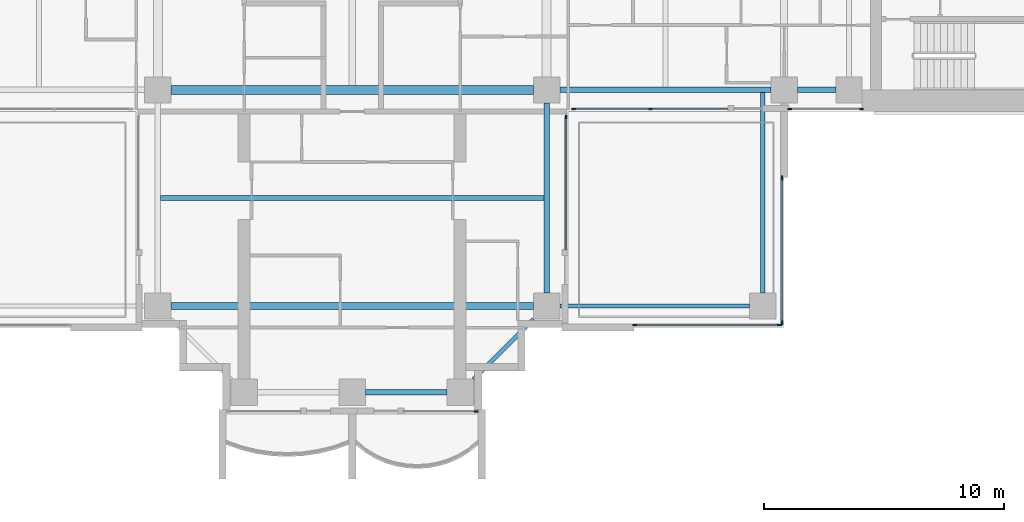
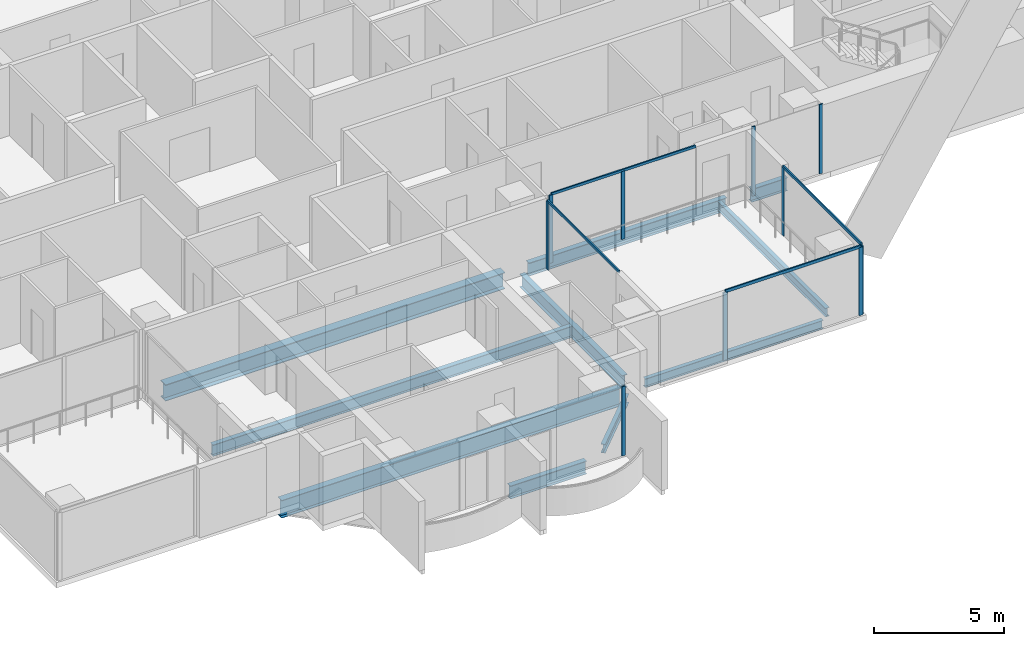
# One storey, part 3 of 19: 14 members, 10 beams, 6 elements without a shape of their own.
"""IFC4 building model written with IfcOpenShell, lengths in metres."""

from ifc_helpers import new_model, si_unit, direction, frame, origin, origin_2d, place, context, subcontext, project, spatial, rectangle, i_section, extrude, material, material_profile, profile_set, type_object, element, aggregate, save


model = new_model("IFC4")

# Units and contexts
model_context = context("Model", 3, precision=1e-05, world=origin(), true_north=direction((0.0, 1.0)))
body_context = subcontext(model_context, "Body", "Model", "MODEL_VIEW")
ifc_project = project(units=[si_unit("LENGTHUNIT", "METRE"), si_unit("AREAUNIT", "SQUARE_METRE"), si_unit("VOLUMEUNIT", "CUBIC_METRE"), si_unit("PLANEANGLEUNIT", "RADIAN"), si_unit("MASSUNIT", "GRAM", prefix="KILO")], contexts=[model_context])

# Site, building, storey
site_placement = place(None, origin())
site = spatial("IfcSite", under=ifc_project, at=site_placement, CompositionType="ELEMENT")
building_placement = place(site_placement, origin())
building = spatial("IfcBuilding", under=site, at=building_placement, Name="Perihelion Cross Residences", CompositionType="ELEMENT")
storey_placement = place(building_placement, frame((0.0, 0.0, 116.39990234375)))
storey = spatial("IfcBuildingStorey", under=building, at=storey_placement, Name="L27", CompositionType="ELEMENT", Elevation=116.39990234375)

# Curtain wall, member
ifc_material_1 = material(Name="Bronze anodised aluminium, tinted glazing", Category="aluminium")
curtain_wall_type_1 = type_object("IfcCurtainWallType", Name="CW1", PredefinedType="NOTDEFINED", material=ifc_material_1)
curtain_wall_1_placement = place(storey_placement, origin())
curtain_wall_1 = element("IfcCurtainWall", 1, at=curtain_wall_1_placement, inside=storey, type_object=curtain_wall_type_1, Name="Curtain wall CW1 L27 south tip south bay 2", PredefinedType="NOTDEFINED")
ifc_material_2 = material(Name="Bronze anodised aluminium", Category="aluminium")
ifc_material_profile_1 = material_profile(ifc_material_2, rectangle(XDim=0.06005859375, YDim=0.159912109375, at=origin_2d()), Name="CW1 mullion")
ifc_profile_set_1 = profile_set([ifc_material_profile_1], Name="Bronze anodised aluminium")
member_type_1 = type_object("IfcMemberType", Name="CW1 mullion", PredefinedType="MULLION", material=ifc_profile_set_1)
member_1_placement = place(storey_placement, frame((5.169921875, -21.5, 0.0), z_axis=(0.0, 0.0, 1.0), x_axis=(0.0, 1.0, 0.0)))
member_1 = element("IfcMember", 2, at=member_1_placement, type_object=member_type_1, Name="CW1 mullion 2", PredefinedType="MULLION", context=body_context, shape_type="SweptSolid", body=[
    extrude(rectangle(XDim=0.06005859375, YDim=0.159912109375, at=origin_2d()), origin(), (0.0, 0.0, 1.0), 3.25),
])
aggregate(curtain_wall_1, [member_1])

curtain_wall_2_placement = place(storey_placement, origin())
curtain_wall_2 = element("IfcCurtainWall", 3, at=curtain_wall_2_placement, inside=storey, type_object=curtain_wall_type_1, Name="Curtain wall CW1 L27 south side east bay 1", PredefinedType="NOTDEFINED")
member_2_placement = place(storey_placement, frame((8.89990234375, -9.22998046875, 0.0), z_axis=(0.0, 0.0, 1.0), x_axis=(-1.0, 0.0, 0.0)))
member_2 = element("IfcMember", 4, at=member_2_placement, type_object=member_type_1, Name="CW1 mullion 2", PredefinedType="MULLION", context=body_context, shape_type="SweptSolid", body=[
    extrude(rectangle(XDim=0.06005859375, YDim=0.159912109375, at=origin_2d()), origin(), (0.0, 0.0, 1.0), 3.190185546875),
])

# Curtain wall, members
curtain_wall_3_placement = place(storey_placement, origin())
curtain_wall_3 = element("IfcCurtainWall", 5, at=curtain_wall_3_placement, inside=storey, type_object=curtain_wall_type_1, Name="Curtain wall CW1 L27 east side south bay 1", PredefinedType="NOTDEFINED")
member_3_placement = place(storey_placement, frame((9.22998046875, -8.89990234375, 0.0), z_axis=(0.0, 0.0, 1.0), x_axis=(0.0, 1.0, 0.0)))
member_3 = element("IfcMember", 6, at=member_3_placement, type_object=member_type_1, Name="CW1 mullion 1", PredefinedType="MULLION", context=body_context, shape_type="SweptSolid", body=[
    extrude(rectangle(XDim=0.06005859375, YDim=0.159912109375, at=origin_2d()), origin(), (0.0, 0.0, 1.0), 3.190185546875),
])
member_4_placement = place(storey_placement, frame((12.425048828125, -8.89990234375, 0.0), z_axis=(0.0, 0.0, 1.0), x_axis=(0.0, 1.0, 0.0)))
member_4 = element("IfcMember", 7, at=member_4_placement, type_object=member_type_1, Name="CW1 mullion 2", PredefinedType="MULLION", context=body_context, shape_type="SweptSolid", body=[
    extrude(rectangle(XDim=0.06005859375, YDim=0.159912109375, at=origin_2d()), origin(), (0.0, 0.0, 1.0), 3.190185546875),
])

curtain_wall_4_placement = place(storey_placement, origin())
curtain_wall_4 = element("IfcCurtainWall", 8, at=curtain_wall_4_placement, inside=storey, type_object=curtain_wall_type_1, Name="Curtain wall CW1 L27 east side south bay 2", PredefinedType="NOTDEFINED")
member_5_placement = place(storey_placement, frame((18.22998046875, -8.89990234375, 0.0), z_axis=(0.0, 0.0, 1.0), x_axis=(0.0, 1.0, 0.0)))
member_5 = element("IfcMember", 9, at=member_5_placement, type_object=member_type_1, Name="CW1 mullion 1", PredefinedType="MULLION", context=body_context, shape_type="SweptSolid", body=[
    extrude(rectangle(XDim=0.06005859375, YDim=0.159912109375, at=origin_2d()), origin(), (0.0, 0.0, 1.0), 3.25),
])
member_6_placement = place(storey_placement, frame((21.219970703125, -8.89990234375, 0.0), z_axis=(0.0, 0.0, 1.0), x_axis=(0.0, 1.0, 0.0)))
member_6 = element("IfcMember", 10, at=member_6_placement, type_object=member_type_1, Name="CW1 mullion 2", PredefinedType="MULLION", context=body_context, shape_type="SweptSolid", body=[
    extrude(rectangle(XDim=0.06005859375, YDim=0.159912109375, at=origin_2d()), origin(), (0.0, 0.0, 1.0), 3.25),
])
aggregate(curtain_wall_4, [member_5, member_6])

# Member
ifc_material_3 = material(Name="Bronze anodised aluminium", Category="aluminium")
ifc_material_profile_2 = material_profile(ifc_material_3, rectangle(XDim=0.06005859375, YDim=0.1201171875, at=origin_2d()), Name="CW1 transom")
ifc_profile_set_2 = profile_set([ifc_material_profile_2], Name="Bronze anodised aluminium")
member_type_2 = type_object("IfcMemberType", Name="CW1 transom", PredefinedType="USERDEFINED", material=ifc_profile_set_2)
member_7_placement = place(storey_placement, frame((8.89990234375, -14.75, 3.22021484375), z_axis=(0.0, 1.0, 0.0), x_axis=(-1.0, 0.0, 0.0)))
member_7 = element("IfcMember", 11, at=member_7_placement, type_object=member_type_2, Name="CW1 head transom", ObjectType="TRANSOM", PredefinedType="USERDEFINED", context=body_context, shape_type="SweptSolid", body=[
    extrude(rectangle(XDim=0.06005859375, YDim=0.1201171875, at=origin_2d()), origin(), (0.0, 0.0, 1.0), 5.52001953125),
])

aggregate(curtain_wall_2, [member_2, member_7])

member_8_placement = place(storey_placement, frame((9.22998046875, -8.89990234375, 3.22021484375), z_axis=(1.0, 0.0, 0.0), x_axis=(0.0, 1.0, 0.0)))
member_8 = element("IfcMember", 12, at=member_8_placement, type_object=member_type_2, Name="CW1 head transom", ObjectType="TRANSOM", PredefinedType="USERDEFINED", context=body_context, shape_type="SweptSolid", body=[
    extrude(rectangle(XDim=0.06005859375, YDim=0.1201171875, at=origin_2d()), origin(), (0.0, 0.0, 1.0), 6.419921875),
])

aggregate(curtain_wall_3, [member_3, member_4, member_8])

# Curtain wall, members
ifc_material_4 = material(Name="Bronze anodised aluminium, tinted glazing", Category="aluminium")
curtain_wall_type_2 = type_object("IfcCurtainWallType", Name="CW4", PredefinedType="NOTDEFINED", material=ifc_material_4)
curtain_wall_5_placement = place(storey_placement, origin())
curtain_wall_5 = element("IfcCurtainWall", 13, at=curtain_wall_5_placement, inside=storey, type_object=curtain_wall_type_2, Name="Curtain wall CW4 L27 pocket south-east 1 1", PredefinedType="NOTDEFINED")
ifc_material_5 = material(Name="Bronze anodised aluminium", Category="aluminium")
ifc_material_profile_3 = material_profile(ifc_material_5, rectangle(XDim=0.06005859375, YDim=0.179931640625, at=origin_2d()), Name="CW4 mullion")
ifc_profile_set_3 = profile_set([ifc_material_profile_3], Name="Bronze anodised aluminium")
member_type_3 = type_object("IfcMemberType", Name="CW4 mullion", PredefinedType="MULLION", material=ifc_profile_set_3)
member_9_placement = place(storey_placement, frame((17.89990234375, -11.77001953125, 0.0), z_axis=(0.0, 0.0, 1.0), x_axis=(1.0, 0.0, 0.0)))
member_9 = element("IfcMember", 14, at=member_9_placement, type_object=member_type_3, Name="CW4 mullion 1", PredefinedType="MULLION", context=body_context, shape_type="SweptSolid", body=[
    extrude(rectangle(XDim=0.06005859375, YDim=0.179931640625, at=origin_2d()), origin(), (0.0, 0.0, 1.0), 3.190185546875),
])
member_10_placement = place(storey_placement, frame((17.89990234375, -17.800048828125, 0.0), z_axis=(0.0, 0.0, 1.0), x_axis=(1.0, 0.0, 0.0)))
member_10 = element("IfcMember", 15, at=member_10_placement, type_object=member_type_3, Name="CW4 mullion 2", PredefinedType="MULLION", context=body_context, shape_type="SweptSolid", body=[
    extrude(rectangle(XDim=0.06005859375, YDim=0.179931640625, at=origin_2d()), origin(), (0.0, 0.0, 1.0), 3.190185546875),
])

curtain_wall_6_placement = place(storey_placement, origin())
curtain_wall_6 = element("IfcCurtainWall", 16, at=curtain_wall_6_placement, inside=storey, type_object=curtain_wall_type_2, Name="Curtain wall CW4 L27 pocket south-east 1 2", PredefinedType="NOTDEFINED")
member_11_placement = place(storey_placement, frame((17.800048828125, -17.89990234375, 0.0), z_axis=(0.0, 0.0, 1.0), x_axis=(0.0, -1.0, 0.0)))
member_11 = element("IfcMember", 17, at=member_11_placement, type_object=member_type_3, Name="CW4 mullion 1", PredefinedType="MULLION", context=body_context, shape_type="SweptSolid", body=[
    extrude(rectangle(XDim=0.06005859375, YDim=0.179931640625, at=origin_2d()), origin(), (0.0, 0.0, 1.0), 3.190185546875),
])
member_12_placement = place(storey_placement, frame((11.77001953125, -17.89990234375, 0.0), z_axis=(0.0, 0.0, 1.0), x_axis=(0.0, -1.0, 0.0)))
member_12 = element("IfcMember", 18, at=member_12_placement, type_object=member_type_3, Name="CW4 mullion 2", PredefinedType="MULLION", context=body_context, shape_type="SweptSolid", body=[
    extrude(rectangle(XDim=0.06005859375, YDim=0.179931640625, at=origin_2d()), origin(), (0.0, 0.0, 1.0), 3.190185546875),
])

# Member
ifc_material_6 = material(Name="Bronze anodised aluminium", Category="aluminium")
ifc_material_profile_4 = material_profile(ifc_material_6, rectangle(XDim=0.06005859375, YDim=0.139892578125, at=origin_2d()), Name="CW4 transom")
ifc_profile_set_4 = profile_set([ifc_material_profile_4], Name="Bronze anodised aluminium")
member_type_4 = type_object("IfcMemberType", Name="CW4 transom", PredefinedType="USERDEFINED", material=ifc_profile_set_4)
member_13_placement = place(storey_placement, frame((17.89990234375, -11.77001953125, 3.22021484375), z_axis=(0.0, -1.0, 0.0), x_axis=(1.0, 0.0, 0.0)))
member_13 = element("IfcMember", 19, at=member_13_placement, type_object=member_type_4, Name="CW4 head transom", ObjectType="TRANSOM", PredefinedType="USERDEFINED", context=body_context, shape_type="SweptSolid", body=[
    extrude(rectangle(XDim=0.06005859375, YDim=0.139892578125, at=origin_2d()), origin(), (0.0, 0.0, 1.0), 6.030029296875),
])

aggregate(curtain_wall_5, [member_9, member_10, member_13])

member_14_placement = place(storey_placement, frame((17.800048828125, -17.89990234375, 3.22021484375), z_axis=(-1.0, 0.0, 0.0), x_axis=(0.0, -1.0, 0.0)))
member_14 = element("IfcMember", 20, at=member_14_placement, type_object=member_type_4, Name="CW4 head transom", ObjectType="TRANSOM", PredefinedType="USERDEFINED", context=body_context, shape_type="SweptSolid", body=[
    extrude(rectangle(XDim=0.06005859375, YDim=0.139892578125, at=origin_2d()), origin(), (0.0, 0.0, 1.0), 6.030029296875),
])

aggregate(curtain_wall_6, [member_11, member_12, member_14])

# Beams
ifc_material_7 = material(Name="Steel S355", Category="steel")
ifc_material_profile_5 = material_profile(ifc_material_7, i_section(OverallWidth=0.177978515625, OverallDepth=0.406005859375, WebThickness=0.0078125, FlangeThickness=0.0126953125, at=origin_2d()), Name="W410x60")
ifc_profile_set_5 = profile_set([ifc_material_profile_5], Name="Steel S355")
beam_type_1 = type_object("IfcBeamType", Name="Core edge beam W410x60", PredefinedType="BEAM", material=ifc_profile_set_5)
beam_1_placement = place(storey_placement, frame((17.10009765625, -8.214599609375, -0.452880859375), z_axis=(0.0, -1.0, 0.0), x_axis=(1.0, 0.0, 0.0)))
element("IfcBeam", 21, at=beam_1_placement, inside=storey, type_object=beam_type_1, Name="Core edge beam TB2 L27 corner no. 5", PredefinedType="BEAM", context=body_context, shape_type="SweptSolid", body=[
    extrude(i_section(OverallWidth=0.177978515625, OverallDepth=0.406005859375, WebThickness=0.0078125, FlangeThickness=0.0126953125, at=origin_2d()), origin(), (0.0, 0.0, 1.0), 8.33544921875),
])
beam_2_placement = place(storey_placement, frame((8.64990234375, -17.10009765625, -0.452880859375), z_axis=(1.0, 0.0, 0.0), x_axis=(0.0, 1.0, 0.0)))
element("IfcBeam", 22, at=beam_2_placement, inside=storey, type_object=beam_type_1, Name="Core edge beam TB2 L27 corner no. 6", PredefinedType="BEAM", context=body_context, shape_type="SweptSolid", body=[
    extrude(i_section(OverallWidth=0.177978515625, OverallDepth=0.406005859375, WebThickness=0.0078125, FlangeThickness=0.0126953125, at=origin_2d()), origin(), (0.0, 0.0, 1.0), 7.900146484375),
])
ifc_material_8 = material(Name="Steel S355", Category="steel")
ifc_material_profile_6 = material_profile(ifc_material_8, i_section(OverallWidth=0.22900390625, OverallDepth=0.612060546875, WebThickness=0.011962890625, FlangeThickness=0.01953125, at=origin_2d()), Name="W610x125")
ifc_profile_set_6 = profile_set([ifc_material_profile_6], Name="Steel S355")
beam_type_2 = type_object("IfcBeamType", Name="Edge beam W610x125", PredefinedType="SPANDREL", material=ifc_profile_set_6)
beam_3_placement = place(storey_placement, frame((0.550048828125, -20.699951171875, -0.555908203125), z_axis=(1.0, 0.0, 0.0), x_axis=(0.0, 1.0, 0.0)))
element("IfcBeam", 23, at=beam_3_placement, inside=storey, type_object=beam_type_2, Name="Edge beam SB3 L27 no. 9", PredefinedType="SPANDREL", context=body_context, shape_type="SweptSolid", body=[
    extrude(i_section(OverallWidth=0.22900390625, OverallDepth=0.612060546875, WebThickness=0.011962890625, FlangeThickness=0.01953125, at=origin_2d()), origin(), (0.0, 0.0, 1.0), 3.39990234375),
])
beam_4_placement = place(storey_placement, frame((8.10009765625, -16.550048828125, -0.555908203125), z_axis=(0.0, 1.0, 0.0), x_axis=(-1.0, 0.0, 0.0)))
element("IfcBeam", 24, at=beam_4_placement, inside=storey, type_object=beam_type_2, Name="Edge beam SB3 L27 no. 15", PredefinedType="SPANDREL", context=body_context, shape_type="SweptSolid", body=[
    extrude(i_section(OverallWidth=0.22900390625, OverallDepth=0.612060546875, WebThickness=0.011962890625, FlangeThickness=0.01953125, at=origin_2d()), origin(), (0.0, 0.0, 1.0), 7.900146484375),
])
beam_5_placement = place(storey_placement, frame((8.64990234375, -8.10009765625, -0.555908203125), z_axis=(1.0, 0.0, 0.0), x_axis=(0.0, 1.0, 0.0)))
element("IfcBeam", 25, at=beam_5_placement, inside=storey, type_object=beam_type_2, Name="Edge beam SB3 L27 no. 16", PredefinedType="SPANDREL", context=body_context, shape_type="SweptSolid", body=[
    extrude(i_section(OverallWidth=0.22900390625, OverallDepth=0.612060546875, WebThickness=0.011962890625, FlangeThickness=0.01953125, at=origin_2d()), origin(), (0.0, 0.0, 1.0), 8.800048828125),
])
beam_6_placement = place(storey_placement, frame((18.550048828125, -8.10009765625, -0.555908203125), z_axis=(1.0, 0.0, 0.0), x_axis=(0.0, 1.0, 0.0)))
element("IfcBeam", 26, at=beam_6_placement, inside=storey, type_object=beam_type_2, Name="Edge beam SB3 L27 no. 11", PredefinedType="SPANDREL", context=body_context, shape_type="SweptSolid", body=[
    extrude(i_section(OverallWidth=0.22900390625, OverallDepth=0.612060546875, WebThickness=0.011962890625, FlangeThickness=0.01953125, at=origin_2d()), origin(), (0.0, 0.0, 1.0), 1.599853515625),
])
ifc_material_9 = material(Name="Steel S355", Category="steel")
ifc_material_profile_7 = material_profile(ifc_material_9, i_section(OverallWidth=0.2919921875, OverallDepth=0.8359375, WebThickness=0.013916015625, FlangeThickness=0.018798828125, at=origin_2d()), Name="W840x176")
ifc_profile_set_7 = profile_set([ifc_material_profile_7], Name="Steel S355")
beam_type_3 = type_object("IfcBeamType", Name="Floor girder W840x176", PredefinedType="BEAM", material=ifc_profile_set_7)
beam_7_placement = place(storey_placement, frame((-7.550048828125, -17.10009765625, -0.66796875), z_axis=(1.0, 0.0, 0.0), x_axis=(0.0, 1.0, 0.0)))
element("IfcBeam", 27, at=beam_7_placement, inside=storey, type_object=beam_type_3, Name="Girder G3 L27 no. 3", PredefinedType="BEAM", context=body_context, shape_type="SweptSolid", body=[
    extrude(i_section(OverallWidth=0.2919921875, OverallDepth=0.8359375, WebThickness=0.013916015625, FlangeThickness=0.018798828125, at=origin_2d()), origin(), (0.0, 0.0, 1.0), 15.10009765625),
])
ifc_material_10 = material(Name="Steel S355", Category="steel")
ifc_material_profile_8 = material_profile(ifc_material_10, i_section(OverallWidth=0.208984375, OverallDepth=0.532958984375, WebThickness=0.01025390625, FlangeThickness=0.015625, at=origin_2d()), Name="W530x92")
ifc_profile_set_8 = profile_set([ifc_material_profile_8], Name="Steel S355")
beam_type_4 = type_object("IfcBeamType", Name="Floor joist W530x92", PredefinedType="JOIST", material=ifc_profile_set_8)
beam_8_placement = place(storey_placement, frame((-7.985595703125, -12.60009765625, -0.516357421875), z_axis=(1.0, 0.0, 0.0), x_axis=(0.0, 1.0, 0.0)))
element("IfcBeam", 28, at=beam_8_placement, inside=storey, type_object=beam_type_4, Name="Joist J4 L27 no. 3", PredefinedType="JOIST", context=body_context, shape_type="SweptSolid", body=[
    extrude(i_section(OverallWidth=0.208984375, OverallDepth=0.532958984375, WebThickness=0.01025390625, FlangeThickness=0.015625, at=origin_2d()), origin(), (0.0, 0.0, 1.0), 15.97119140625),
])
ifc_material_11 = material(Name="Steel S355", Category="steel")
ifc_material_profile_9 = material_profile(ifc_material_11, i_section(OverallWidth=0.381103515625, OverallDepth=0.77197265625, WebThickness=0.0166015625, FlangeThickness=0.027099609375, at=origin_2d()), Name="W760x257")
ifc_profile_set_9 = profile_set([ifc_material_profile_9], Name="Steel S355")
beam_type_5 = type_object("IfcBeamType", Name="Hub ring girder W760x257", PredefinedType="BEAM", material=ifc_profile_set_9)
beam_9_placement = place(storey_placement, frame((-7.550048828125, -8.10009765625, -0.635986328125), z_axis=(1.0, 0.0, 0.0), x_axis=(0.0, 1.0, 0.0)))
element("IfcBeam", 29, at=beam_9_placement, inside=storey, type_object=beam_type_5, Name="Hub ring girder RG3 L27 no. 1", PredefinedType="BEAM", context=body_context, shape_type="SweptSolid", body=[
    extrude(i_section(OverallWidth=0.381103515625, OverallDepth=0.77197265625, WebThickness=0.0166015625, FlangeThickness=0.027099609375, at=origin_2d()), origin(), (0.0, 0.0, 1.0), 15.10009765625),
])
ifc_material_12 = material(Name="Steel S355", Category="steel")
ifc_material_profile_10 = material_profile(ifc_material_12, i_section(OverallWidth=0.180908203125, OverallDepth=0.4169921875, WebThickness=0.010986328125, FlangeThickness=0.018310546875, at=origin_2d()), Name="W410x85")
ifc_profile_set_10 = profile_set([ifc_material_profile_10], Name="Steel S355")
beam_type_6 = type_object("IfcBeamType", Name="Serration edge beam W410x85", PredefinedType="BEAM", material=ifc_profile_set_10)
beam_10_placement = place(storey_placement, frame((5.050048828125, -20.14990234375, -0.45849609375), z_axis=(0.707106781187, 0.707106781187, 0.0), x_axis=(-0.707106781187, 0.707106781187, 0.0)))
element("IfcBeam", 30, at=beam_10_placement, inside=storey, type_object=beam_type_6, Name="Serration edge beam EB3 L27 no. 3", PredefinedType="BEAM", context=body_context, shape_type="SweptSolid", body=[
    extrude(i_section(OverallWidth=0.180908203125, OverallDepth=0.4169921875, WebThickness=0.010986328125, FlangeThickness=0.018310546875, at=origin_2d()), origin(), (0.0, 0.0, 1.0), 3.53564453125),
])

save(model, "model.ifc")
